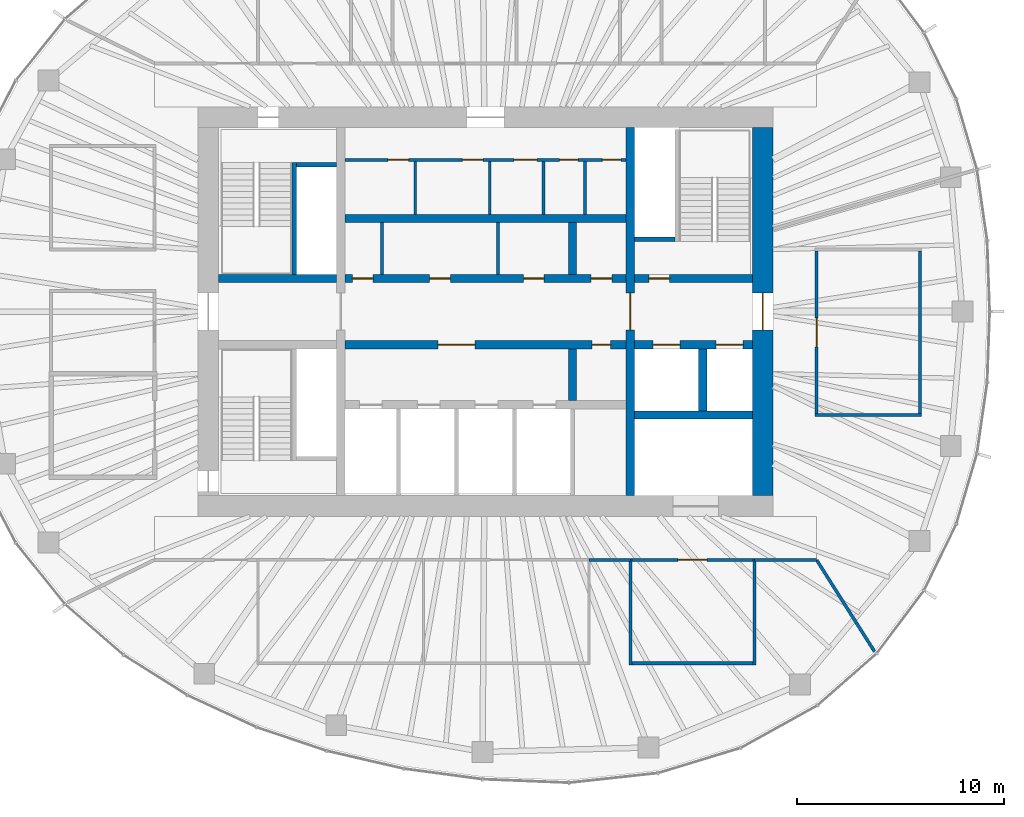
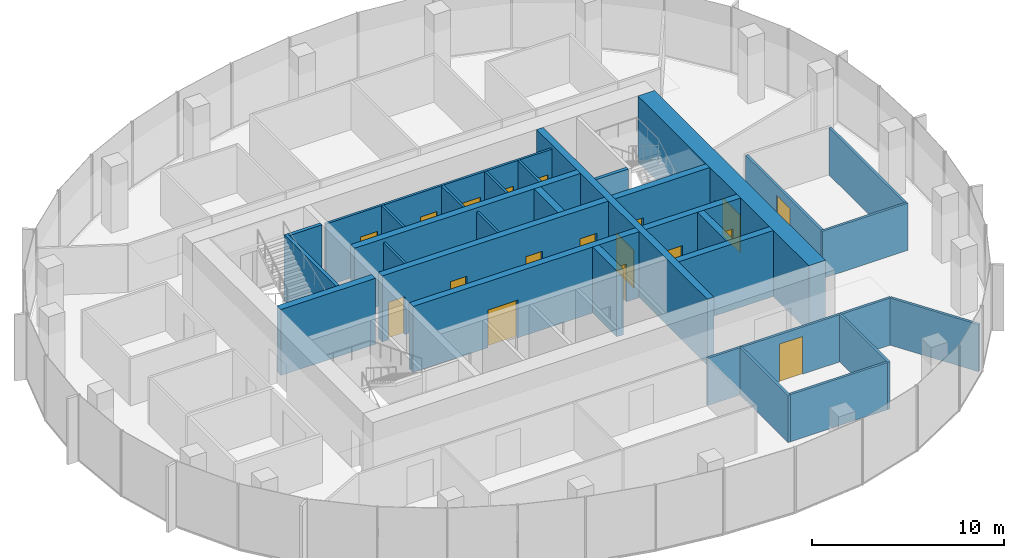
# One storey, part 9 of 11: 32 walls, 18 doors, 18 openings.
"""IFC4 building model written with IfcOpenShell, lengths in metres."""

from ifc_helpers import new_model, si_unit, direction, frame, frame_2d, origin, place, context, subcontext, project, spatial, rectangle, extrude, material, layer, layer_set, type_object, element, fill, save


model = new_model("IFC4")

# Units and contexts
model_context = context("Model", 3, precision=1e-05, world=origin(), true_north=direction((0.0, 1.0)))
body_context = subcontext(model_context, "Body", "Model", "MODEL_VIEW")
ifc_project = project(units=[si_unit("LENGTHUNIT", "METRE"), si_unit("AREAUNIT", "SQUARE_METRE"), si_unit("VOLUMEUNIT", "CUBIC_METRE"), si_unit("PLANEANGLEUNIT", "RADIAN"), si_unit("MASSUNIT", "GRAM", prefix="KILO")], contexts=[model_context])

# Site, building, storey
site_placement = place(None, origin())
site = spatial("IfcSite", under=ifc_project, at=site_placement, CompositionType="ELEMENT")
building_placement = place(site_placement, origin())
building = spatial("IfcBuilding", under=site, at=building_placement, Name="Ghaith Harvest Tower", CompositionType="ELEMENT")
storey_placement = place(building_placement, frame((0.0, 0.0, 309.0)))
storey = spatial("IfcBuildingStorey", under=building, at=storey_placement, Name="L69", CompositionType="ELEMENT", Elevation=309.0)

# Wall, openings, doors
ifc_material_1 = material(Name="Concrete blockwork, fair-faced", Category="masonry")
ifc_layer_1 = layer(ifc_material_1, 0.139892578125)
ifc_layer_set_1 = layer_set([ifc_layer_1], Name="CORE PARTITION 140")
wall_type_1 = type_object("IfcWallType", Name="CORE PARTITION 140", PredefinedType="PARTITIONING", material=ifc_layer_set_1)
wall_1_placement = place(storey_placement, frame((-6.800048828125, 7.330078125, 0.0), z_axis=(0.0, 0.0, 1.0), x_axis=(1.0, 0.0, 0.0)))
wall_1 = element("IfcWall", 1, at=wall_1_placement, inside=storey, type_object=wall_type_1, Name="Core partition L69", PredefinedType="PARTITIONING", context=body_context, shape_type="SweptSolid", body=[
    extrude(rectangle(XDim=13.60009765625, YDim=0.139892578125, at=frame_2d((6.800048828125, 0.0))), origin(), (0.0, 0.0, 1.0), 3.949951171875),
])
opening_1_placement = place(wall_1_placement, frame((2.080078125, 0.0, 0.0)))
opening_1 = element("IfcOpeningElement", 2, at=opening_1_placement, cuts=wall_1, Name="Opening 69-008", PredefinedType="OPENING", context=body_context, shape_type="SweptSolid", body=[
    extrude(rectangle(XDim=1.0, YDim=2.39990234375, at=frame_2d((0.5, 1.199951171875))), frame((0.0, 0.080078125, 0.0), z_axis=(0.0, -1.0, 0.0), x_axis=(1.0, 0.0, 0.0)), (0.0, 0.0, 1.0), 0.159912109375),
])
opening_2_placement = place(wall_1_placement, frame((5.679931640625, 0.0, 0.0)))
opening_2 = element("IfcOpeningElement", 3, at=opening_2_placement, cuts=wall_1, Name="Opening 69-009", PredefinedType="OPENING", context=body_context, shape_type="SweptSolid", body=[
    extrude(rectangle(XDim=1.0, YDim=2.39990234375, at=frame_2d((0.5, 1.199951171875))), frame((0.0, 0.080078125, 0.0), z_axis=(0.0, -1.0, 0.0), x_axis=(1.0, 0.0, 0.0)), (0.0, 0.0, 1.0), 0.159912109375),
])
opening_3_placement = place(wall_1_placement, frame((8.179931640625, 0.0, 0.0)))
opening_3 = element("IfcOpeningElement", 4, at=opening_3_placement, cuts=wall_1, Name="Opening 69-010", PredefinedType="OPENING", context=body_context, shape_type="SweptSolid", body=[
    extrude(rectangle(XDim=1.10009765625, YDim=2.39990234375, at=frame_2d((0.550048828125, 1.199951171875))), frame((0.0, 0.080078125, 0.0), z_axis=(0.0, -1.0, 0.0), x_axis=(1.0, 0.0, 0.0)), (0.0, 0.0, 1.0), 0.159912109375),
])
opening_4_placement = place(wall_1_placement, frame((10.3798828125, 0.0, 0.0)))
opening_4 = element("IfcOpeningElement", 5, at=opening_4_placement, cuts=wall_1, Name="Opening 69-011", PredefinedType="OPENING", context=body_context, shape_type="SweptSolid", body=[
    extrude(rectangle(XDim=0.89990234375, YDim=2.39990234375, at=frame_2d((0.449951171875, 1.199951171875))), frame((0.0, 0.080078125, 0.0), z_axis=(0.0, -1.0, 0.0), x_axis=(1.0, 0.0, 0.0)), (0.0, 0.0, 1.0), 0.159912109375),
])
opening_5_placement = place(wall_1_placement, frame((12.449951171875, 0.0, 0.0)))
opening_5 = element("IfcOpeningElement", 6, at=opening_5_placement, cuts=wall_1, Name="Opening 69-012", PredefinedType="OPENING", context=body_context, shape_type="SweptSolid", body=[
    extrude(rectangle(XDim=0.89990234375, YDim=2.39990234375, at=frame_2d((0.449951171875, 1.199951171875))), frame((0.0, 0.080078125, 0.0), z_axis=(0.0, -1.0, 0.0), x_axis=(1.0, 0.0, 0.0)), (0.0, 0.0, 1.0), 0.159912109375),
])
ifc_material_2 = material(Name="Steel fire door", Category="steel")
door_type_1 = type_object("IfcDoorType", Name="D3 FD90 1000x2400", OperationType="SINGLE_SWING_LEFT", PredefinedType="DOOR", material=ifc_material_2)
door_1_placement = place(opening_1_placement, origin())
door_1 = element("IfcDoor", 7, at=door_1_placement, inside=storey, type_object=door_type_1, Name="Male WC door", OperationType="SINGLE_SWING_LEFT", OverallHeight=2.39990234375, OverallWidth=1.0, PredefinedType="DOOR", context=body_context, shape_type="SweptSolid", body=[
    extrude(rectangle(XDim=1.0, YDim=2.39990234375, at=frame_2d((0.5, 1.199951171875))), frame((0.0, 0.02490234375, 0.0), z_axis=(0.0, -1.0, 0.0), x_axis=(1.0, 0.0, 0.0)), (0.0, 0.0, 1.0), 0.050048828125),
])
fill(opening_1, door_1)
door_2_placement = place(opening_2_placement, origin())
door_2 = element("IfcDoor", 8, at=door_2_placement, inside=storey, type_object=door_type_1, Name="Female WC door", OperationType="SINGLE_SWING_LEFT", OverallHeight=2.39990234375, OverallWidth=1.0, PredefinedType="DOOR", context=body_context, shape_type="SweptSolid", body=[
    extrude(rectangle(XDim=1.0, YDim=2.39990234375, at=frame_2d((0.5, 1.199951171875))), frame((0.0, 0.02490234375, 0.0), z_axis=(0.0, -1.0, 0.0), x_axis=(1.0, 0.0, 0.0)), (0.0, 0.0, 1.0), 0.050048828125),
])
fill(opening_2, door_2)
ifc_material_3 = material(Name="Steel fire door", Category="steel")
door_type_2 = type_object("IfcDoorType", Name="D5 FD90 900x2400", OperationType="SINGLE_SWING_LEFT", PredefinedType="DOOR", material=ifc_material_3)
door_3_placement = place(opening_4_placement, origin())
door_3 = element("IfcDoor", 9, at=door_3_placement, inside=storey, type_object=door_type_2, Name="Store door", OperationType="SINGLE_SWING_RIGHT", OverallHeight=2.39990234375, OverallWidth=0.89990234375, PredefinedType="DOOR", context=body_context, shape_type="SweptSolid", body=[
    extrude(rectangle(XDim=0.89990234375, YDim=2.39990234375, at=frame_2d((0.449951171875, 1.199951171875))), frame((0.0, 0.02490234375, 0.0), z_axis=(0.0, -1.0, 0.0), x_axis=(1.0, 0.0, 0.0)), (0.0, 0.0, 1.0), 0.050048828125),
])
fill(opening_4, door_3)
door_4_placement = place(opening_5_placement, origin())
door_4 = element("IfcDoor", 10, at=door_4_placement, inside=storey, type_object=door_type_2, Name="Cleaner's store door", OperationType="SINGLE_SWING_RIGHT", OverallHeight=2.39990234375, OverallWidth=0.89990234375, PredefinedType="DOOR", context=body_context, shape_type="SweptSolid", body=[
    extrude(rectangle(XDim=0.89990234375, YDim=2.39990234375, at=frame_2d((0.449951171875, 1.199951171875))), frame((0.0, 0.02490234375, 0.0), z_axis=(0.0, -1.0, 0.0), x_axis=(1.0, 0.0, 0.0)), (0.0, 0.0, 1.0), 0.050048828125),
])
fill(opening_5, door_4)
ifc_material_4 = material(Name="Steel fire door", Category="steel")
door_type_3 = type_object("IfcDoorType", Name="D9 FD90 1100x2400", OperationType="SINGLE_SWING_LEFT", PredefinedType="DOOR", material=ifc_material_4)
door_5_placement = place(opening_3_placement, origin())
door_5 = element("IfcDoor", 11, at=door_5_placement, inside=storey, type_object=door_type_3, Name="Accessible WC door", OperationType="SINGLE_SWING_RIGHT", OverallHeight=2.39990234375, OverallWidth=1.10009765625, PredefinedType="DOOR", context=body_context, shape_type="SweptSolid", body=[
    extrude(rectangle(XDim=1.10009765625, YDim=2.39990234375, at=frame_2d((0.550048828125, 1.199951171875))), frame((0.0, 0.02490234375, 0.0), z_axis=(0.0, -1.0, 0.0), x_axis=(1.0, 0.0, 0.0)), (0.0, 0.0, 1.0), 0.050048828125),
])
fill(opening_3, door_5)

# Walls
for number, where, z_axis, x_axis, name in (
    (12, (-3.39990234375, 4.699951171875, 0.0), (0.0, 0.0, 1.0), (0.0, 1.0, 0.0), "Core partition L69"),
    (13, (0.199951171875, 4.699951171875, 0.0), (0.0, 0.0, 1.0), (0.0, 1.0, 0.0), "Core partition L69"),
    (14, (2.800048828125, 4.699951171875, 0.0), (0.0, 0.0, 1.0), (0.0, 1.0, 0.0), "Core partition L69"),
    (15, (4.800048828125, 4.699951171875, 0.0), (0.0, 0.0, 1.0), (0.0, 1.0, 0.0), "Core partition L69"),
):
    element("IfcWall", number, at=place(storey_placement, frame(where, z_axis=z_axis, x_axis=x_axis)), inside=storey, type_object=wall_type_1, Name=name, PredefinedType="PARTITIONING", context=body_context, shape_type="SweptSolid", body=[
        extrude(rectangle(XDim=2.56005859375, YDim=0.139892578125, at=frame_2d((1.280029296875, 0.0))), origin(), (0.0, 0.0, 1.0), 3.949951171875),
    ])
for number, where, z_axis, x_axis, name in (
    (16, (-5.0, 1.800048828125, 0.0), (0.0, 0.0, 1.0), (0.0, 1.0, 0.0), "Core partition L69"),
    (17, (0.60009765625, 1.800048828125, 0.0), (0.0, 0.0, 1.0), (0.0, 1.0, 0.0), "Core partition L69"),
):
    element("IfcWall", number, at=place(storey_placement, frame(where, z_axis=z_axis, x_axis=x_axis)), inside=storey, type_object=wall_type_1, Name=name, PredefinedType="PARTITIONING", context=body_context, shape_type="SweptSolid", body=[
        extrude(rectangle(XDim=2.5, YDim=0.139892578125, at=frame_2d((1.25, 0.0))), origin(), (0.0, 0.0, 1.0), 3.949951171875),
    ])

# Wall, opening, door
ifc_material_5 = material(Name="Concrete C50/60", Category="concrete")
ifc_layer_2 = layer(ifc_material_5, 1.0)
ifc_layer_set_2 = layer_set([ifc_layer_2], Name="CORE WALL CW1000")
wall_type_2 = type_object("IfcWallType", Name="CORE WALL CW1000", PredefinedType="SHEAR", material=ifc_layer_set_2)
wall_2_placement = place(storey_placement, frame((13.39990234375, -8.89990234375, 0.0), z_axis=(0.0, 0.0, 1.0), x_axis=(0.0, 1.0, 0.0)))
wall_2 = element("IfcWall", 18, at=wall_2_placement, inside=storey, type_object=wall_type_2, Name="Core wall E L69", PredefinedType="SHEAR", context=body_context, shape_type="SweptSolid", body=[
    extrude(rectangle(XDim=17.7998046875, YDim=1.0, at=frame_2d((8.89990234375, 0.0))), origin(), (0.0, 0.0, 1.0), 4.199951171875),
])
opening_6_placement = place(wall_2_placement, frame((8.0, 0.0, 0.0)))
opening_6 = element("IfcOpeningElement", 19, at=opening_6_placement, cuts=wall_2, Name="Opening 69-002", PredefinedType="OPENING", context=body_context, shape_type="SweptSolid", body=[
    extrude(rectangle(XDim=1.800048828125, YDim=2.39990234375, at=frame_2d((0.89990234375, 1.199951171875))), frame((0.0, 0.510009765625, 0.0), z_axis=(0.0, -1.0, 0.0), x_axis=(1.0, 0.0, 0.0)), (0.0, 0.0, 1.0), 1.02001953125),
])
ifc_material_6 = material(Name="Steel fire door", Category="steel")
door_type_4 = type_object("IfcDoorType", Name="D4 FD90 PAIR 1800x2400", OperationType="DOUBLE_DOOR_SINGLE_SWING", PredefinedType="DOOR", material=ifc_material_6)
door_6_placement = place(opening_6_placement, origin())
door_6 = element("IfcDoor", 20, at=door_6_placement, inside=storey, type_object=door_type_4, Name="Fire-fighting lobby doors", OperationType="DOUBLE_DOOR_SINGLE_SWING", OverallHeight=2.39990234375, OverallWidth=1.800048828125, PredefinedType="DOOR", context=body_context, shape_type="SweptSolid", body=[
    extrude(rectangle(XDim=1.800048828125, YDim=2.39990234375, at=frame_2d((0.89990234375, 1.199951171875))), frame((0.0, 0.02490234375, 0.0), z_axis=(0.0, -1.0, 0.0), x_axis=(1.0, 0.0, 0.0)), (0.0, 0.0, 1.0), 0.050048828125),
])
fill(opening_6, door_6)

# Walls
ifc_material_7 = material(Name="Gypsum board on steel studs", Category="steel")
ifc_layer_3 = layer(ifc_material_7, 0.14990234375)
ifc_layer_set_3 = layer_set([ifc_layer_3], Name="PARTITION 150")
wall_type_3 = type_object("IfcWallType", Name="PARTITION 150", PredefinedType="PARTITIONING", material=ifc_layer_set_3)
for number, where, z_axis, x_axis, name in (
    (21, (7.0, -11.925048828125, 0.0), (0.0, 0.0, 1.0), (0.0, -1.0, 0.0), "Partition L69 row S3 cross wall 1"),
    (22, (13.0, -11.925048828125, 0.0), (0.0, 0.0, 1.0), (0.0, -1.0, 0.0), "Partition L69 row S3 cross wall 2"),
):
    element("IfcWall", number, at=place(storey_placement, frame(where, z_axis=z_axis, x_axis=x_axis)), inside=storey, type_object=wall_type_3, Name=name, PredefinedType="PARTITIONING", context=body_context, shape_type="SweptSolid", body=[
        extrude(rectangle(XDim=5.14990234375, YDim=0.14990234375, at=frame_2d((2.574951171875, 0.0))), origin(), (0.0, 0.0, 1.0), 3.0),
    ])

# Wall, opening, door
wall_3_placement = place(storey_placement, frame((7.074951171875, -12.0, 0.0), z_axis=(0.0, 0.0, 1.0), x_axis=(1.0, 0.0, 0.0)))
wall_3 = element("IfcWall", 23, at=wall_3_placement, inside=storey, type_object=wall_type_3, Name="Partition L69-05", PredefinedType="PARTITIONING", context=body_context, shape_type="SweptSolid", body=[
    extrude(rectangle(XDim=5.85009765625, YDim=0.14990234375, at=frame_2d((2.925048828125, 0.0))), origin(), (0.0, 0.0, 1.0), 3.0),
])
opening_7_placement = place(wall_3_placement, frame((2.22509765625, 0.0, 0.0)))
opening_7 = element("IfcOpeningElement", 24, at=opening_7_placement, cuts=wall_3, Name="Opening 69-031", PredefinedType="OPENING", context=body_context, shape_type="SweptSolid", body=[
    extrude(rectangle(XDim=1.39990234375, YDim=2.39990234375, at=frame_2d((0.699951171875, 1.199951171875))), frame((0.0, 0.0849609375, 0.0), z_axis=(0.0, -1.0, 0.0), x_axis=(1.0, 0.0, 0.0)), (0.0, 0.0, 1.0), 0.169921875),
])
ifc_material_8 = material(Name="Stainless steel faced door pair", Category="steel")
door_type_5 = type_object("IfcDoorType", Name="D14 HYGIENE PAIR 1400x2400", OperationType="DOUBLE_DOOR_DOUBLE_SWING", PredefinedType="DOOR", material=ifc_material_8)
door_7_placement = place(opening_7_placement, origin())
door_7 = element("IfcDoor", 25, at=door_7_placement, inside=storey, type_object=door_type_5, Name="Grading room door", OperationType="DOUBLE_DOOR_DOUBLE_SWING", OverallHeight=2.39990234375, OverallWidth=1.39990234375, PredefinedType="DOOR", context=body_context, shape_type="SweptSolid", body=[
    extrude(rectangle(XDim=1.39990234375, YDim=2.39990234375, at=frame_2d((0.699951171875, 1.199951171875))), frame((0.0, 0.02490234375, 0.0), z_axis=(0.0, -1.0, 0.0), x_axis=(1.0, 0.0, 0.0)), (0.0, 0.0, 1.0), 0.050048828125),
])
fill(opening_7, door_7)

# Walls
wall_4_placement = place(storey_placement, frame((7.074951171875, -17.0, 0.0), z_axis=(0.0, 0.0, 1.0), x_axis=(1.0, 0.0, 0.0)))
element("IfcWall", 26, at=wall_4_placement, inside=storey, type_object=wall_type_3, Name="Partition L69-05", PredefinedType="PARTITIONING", context=body_context, shape_type="SweptSolid", body=[
    extrude(rectangle(XDim=5.85009765625, YDim=0.14990234375, at=frame_2d((2.925048828125, 0.0))), origin(), (0.0, 0.0, 1.0), 3.0),
])
wall_5_placement = place(storey_placement, frame((15.925048828125, -5.0, 0.0), z_axis=(0.0, 0.0, 1.0), x_axis=(1.0, 0.0, 0.0)))
element("IfcWall", 27, at=wall_5_placement, inside=storey, type_object=wall_type_3, Name="Partition L69 row E5 cross wall 1", PredefinedType="PARTITIONING", context=body_context, shape_type="SweptSolid", body=[
    extrude(rectangle(XDim=5.14990234375, YDim=0.14990234375, at=frame_2d((2.574951171875, 0.0))), origin(), (0.0, 0.0, 1.0), 3.0),
])

# Wall, opening, door
wall_6_placement = place(storey_placement, frame((16.0, -4.925048828125, 0.0), z_axis=(0.0, 0.0, 1.0), x_axis=(0.0, 1.0, 0.0)))
wall_6 = element("IfcWall", 28, at=wall_6_placement, inside=storey, type_object=wall_type_3, Name="Partition L69-08", PredefinedType="PARTITIONING", context=body_context, shape_type="SweptSolid", body=[
    extrude(rectangle(XDim=7.85009765625, YDim=0.14990234375, at=frame_2d((3.925048828125, 0.0))), origin(), (0.0, 0.0, 1.0), 3.0),
])
opening_8_placement = place(wall_6_placement, frame((3.22509765625, 0.0, 0.0)))
opening_8 = element("IfcOpeningElement", 29, at=opening_8_placement, cuts=wall_6, Name="Opening 69-034", PredefinedType="OPENING", context=body_context, shape_type="SweptSolid", body=[
    extrude(rectangle(XDim=1.39990234375, YDim=2.39990234375, at=frame_2d((0.699951171875, 1.199951171875))), frame((0.0, 0.0849609375, 0.0), z_axis=(0.0, -1.0, 0.0), x_axis=(1.0, 0.0, 0.0)), (0.0, 0.0, 1.0), 0.169921875),
])
door_8_placement = place(opening_8_placement, origin())
door_8 = element("IfcDoor", 30, at=door_8_placement, inside=storey, type_object=door_type_5, Name="Packing room door", OperationType="DOUBLE_DOOR_DOUBLE_SWING", OverallHeight=2.39990234375, OverallWidth=1.39990234375, PredefinedType="DOOR", context=body_context, shape_type="SweptSolid", body=[
    extrude(rectangle(XDim=1.39990234375, YDim=2.39990234375, at=frame_2d((0.699951171875, 1.199951171875))), frame((0.0, 0.02490234375, 0.0), z_axis=(0.0, -1.0, 0.0), x_axis=(1.0, 0.0, 0.0)), (0.0, 0.0, 1.0), 0.050048828125),
])
fill(opening_8, door_8)

# Walls
wall_7_placement = place(storey_placement, frame((21.0, -4.925048828125, 0.0), z_axis=(0.0, 0.0, 1.0), x_axis=(0.0, 1.0, 0.0)))
element("IfcWall", 31, at=wall_7_placement, inside=storey, type_object=wall_type_3, Name="Partition L69-08", PredefinedType="PARTITIONING", context=body_context, shape_type="SweptSolid", body=[
    extrude(rectangle(XDim=7.85009765625, YDim=0.14990234375, at=frame_2d((3.925048828125, 0.0))), origin(), (0.0, 0.0, 1.0), 3.0),
])
wall_8_placement = place(storey_placement, frame((16.0107421875, -12.016845703125, 0.0), z_axis=(0.0, 0.0, 1.0), x_axis=(0.53415837449, -0.845384427916, 0.0)))
element("IfcWall", 32, at=wall_8_placement, inside=storey, type_object=wall_type_3, Name="Partition L69 zone division", PredefinedType="PARTITIONING", context=body_context, shape_type="SweptSolid", body=[
    extrude(rectangle(XDim=5.220458984375, YDim=0.14990234375, at=frame_2d((2.6103515625, 0.0))), origin(), (0.0, 0.0, 1.0), 3.0),
])
wall_9_placement = place(storey_placement, frame((5.0, -12.0, 0.0), z_axis=(0.0, 0.0, 1.0), x_axis=(1.0, 0.0, 0.0)))
element("IfcWall", 33, at=wall_9_placement, inside=storey, type_object=wall_type_3, Name="Partition L69 zone enclosure", PredefinedType="PARTITIONING", context=body_context, shape_type="SweptSolid", body=[
    extrude(rectangle(XDim=2.0, YDim=0.14990234375, at=frame_2d((1.0, 0.0))), origin(), (0.0, 0.0, 1.0), 3.0),
])
wall_10_placement = place(storey_placement, frame((13.0, -12.0, 0.0), z_axis=(0.0, 0.0, 1.0), x_axis=(1.0, 0.0, 0.0)))
element("IfcWall", 34, at=wall_10_placement, inside=storey, type_object=wall_type_3, Name="Partition L69 zone enclosure", PredefinedType="PARTITIONING", context=body_context, shape_type="SweptSolid", body=[
    extrude(rectangle(XDim=3.0, YDim=0.14990234375, at=frame_2d((1.5, 0.0))), origin(), (0.0, 0.0, 1.0), 3.0),
])

# Wall, opening, door
ifc_material_9 = material(Name="Concrete C70/85", Category="concrete")
ifc_layer_4 = layer(ifc_material_9, 0.39990234375)
ifc_layer_set_4 = layer_set([ifc_layer_4], Name="SHAFT WALL 400")
wall_type_4 = type_object("IfcWallType", Name="SHAFT WALL 400", PredefinedType="SHEAR", material=ifc_layer_set_4)
wall_11_placement = place(storey_placement, frame((7.0, -8.89990234375, 0.0), z_axis=(0.0, 0.0, 1.0), x_axis=(0.0, 1.0, 0.0)))
wall_11 = element("IfcWall", 35, at=wall_11_placement, inside=storey, type_object=wall_type_4, Name="Shaft wall W7E L69", PredefinedType="SHEAR", context=body_context, shape_type="SweptSolid", body=[
    extrude(rectangle(XDim=17.7998046875, YDim=0.39990234375, at=frame_2d((8.89990234375, 0.0))), origin(), (0.0, 0.0, 1.0), 4.199951171875),
])
opening_9_placement = place(wall_11_placement, frame((8.0, 0.0, 0.0)))
opening_9 = element("IfcOpeningElement", 36, at=opening_9_placement, cuts=wall_11, Name="Opening 69-004", PredefinedType="OPENING", context=body_context, shape_type="SweptSolid", body=[
    extrude(rectangle(XDim=1.800048828125, YDim=2.39990234375, at=frame_2d((0.89990234375, 1.199951171875))), frame((0.0, 0.2099609375, 0.0), z_axis=(0.0, -1.0, 0.0), x_axis=(1.0, 0.0, 0.0)), (0.0, 0.0, 1.0), 0.419921875),
])
door_9_placement = place(opening_9_placement, origin())
door_9 = element("IfcDoor", 37, at=door_9_placement, inside=storey, type_object=door_type_4, Name="Lift lobby doors, east", OperationType="DOUBLE_DOOR_SINGLE_SWING", OverallHeight=2.39990234375, OverallWidth=1.800048828125, PredefinedType="DOOR", context=body_context, shape_type="SweptSolid", body=[
    extrude(rectangle(XDim=1.800048828125, YDim=2.39990234375, at=frame_2d((0.89990234375, 1.199951171875))), frame((0.0, 0.02490234375, 0.0), z_axis=(0.0, -1.0, 0.0), x_axis=(1.0, 0.0, 0.0)), (0.0, 0.0, 1.0), 0.050048828125),
])
fill(opening_9, door_9)

# Wall, openings, doors
wall_12_placement = place(storey_placement, frame((-6.800048828125, 1.60009765625, 0.0), z_axis=(0.0, 0.0, 1.0), x_axis=(1.0, 0.0, 0.0)))
wall_12 = element("IfcWall", 38, at=wall_12_placement, inside=storey, type_object=wall_type_4, Name="Shaft wall LN L69", PredefinedType="SHEAR", context=body_context, shape_type="SweptSolid", body=[
    extrude(rectangle(XDim=13.60009765625, YDim=0.39990234375, at=frame_2d((6.800048828125, 0.0))), origin(), (0.0, 0.0, 1.0), 4.199951171875),
])
opening_10_placement = place(wall_12_placement, frame((0.364990234375, 0.0, 0.0)))
opening_10 = element("IfcOpeningElement", 39, at=opening_10_placement, cuts=wall_12, Name="Opening 69-013", PredefinedType="OPENING", context=body_context, shape_type="SweptSolid", body=[
    extrude(rectangle(XDim=1.0, YDim=2.39990234375, at=frame_2d((0.5, 1.199951171875))), frame((0.0, 0.2099609375, 0.0), z_axis=(0.0, -1.0, 0.0), x_axis=(1.0, 0.0, 0.0)), (0.0, 0.0, 1.0), 0.419921875),
])
opening_11_placement = place(wall_12_placement, frame((4.10009765625, 0.0, 0.0)))
opening_11 = element("IfcOpeningElement", 40, at=opening_11_placement, cuts=wall_12, Name="Opening 69-014", PredefinedType="OPENING", context=body_context, shape_type="SweptSolid", body=[
    extrude(rectangle(XDim=1.0, YDim=2.39990234375, at=frame_2d((0.5, 1.199951171875))), frame((0.0, 0.2099609375, 0.0), z_axis=(0.0, -1.0, 0.0), x_axis=(1.0, 0.0, 0.0)), (0.0, 0.0, 1.0), 0.419921875),
])
opening_12_placement = place(wall_12_placement, frame((8.635009765625, 0.0, 0.0)))
opening_12 = element("IfcOpeningElement", 41, at=opening_12_placement, cuts=wall_12, Name="Opening 69-015", PredefinedType="OPENING", context=body_context, shape_type="SweptSolid", body=[
    extrude(rectangle(XDim=1.0, YDim=2.39990234375, at=frame_2d((0.5, 1.199951171875))), frame((0.0, 0.2099609375, 0.0), z_axis=(0.0, -1.0, 0.0), x_axis=(1.0, 0.0, 0.0)), (0.0, 0.0, 1.0), 0.419921875),
])
opening_13_placement = place(wall_12_placement, frame((11.89990234375, 0.0, 0.0)))
opening_13 = element("IfcOpeningElement", 42, at=opening_13_placement, cuts=wall_12, Name="Opening 69-016", PredefinedType="OPENING", context=body_context, shape_type="SweptSolid", body=[
    extrude(rectangle(XDim=1.0, YDim=2.39990234375, at=frame_2d((0.5, 1.199951171875))), frame((0.0, 0.2099609375, 0.0), z_axis=(0.0, -1.0, 0.0), x_axis=(1.0, 0.0, 0.0)), (0.0, 0.0, 1.0), 0.419921875),
])
door_10_placement = place(opening_10_placement, origin())
door_10 = element("IfcDoor", 43, at=door_10_placement, inside=storey, type_object=door_type_1, Name="Electrical room door", OperationType="SINGLE_SWING_LEFT", OverallHeight=2.39990234375, OverallWidth=1.0, PredefinedType="DOOR", context=body_context, shape_type="SweptSolid", body=[
    extrude(rectangle(XDim=1.0, YDim=2.39990234375, at=frame_2d((0.5, 1.199951171875))), frame((0.0, 0.02490234375, 0.0), z_axis=(0.0, -1.0, 0.0), x_axis=(1.0, 0.0, 0.0)), (0.0, 0.0, 1.0), 0.050048828125),
])
fill(opening_10, door_10)
door_11_placement = place(opening_11_placement, origin())
door_11 = element("IfcDoor", 44, at=door_11_placement, inside=storey, type_object=door_type_1, Name="Security room door", OperationType="SINGLE_SWING_LEFT", OverallHeight=2.39990234375, OverallWidth=1.0, PredefinedType="DOOR", context=body_context, shape_type="SweptSolid", body=[
    extrude(rectangle(XDim=1.0, YDim=2.39990234375, at=frame_2d((0.5, 1.199951171875))), frame((0.0, 0.02490234375, 0.0), z_axis=(0.0, -1.0, 0.0), x_axis=(1.0, 0.0, 0.0)), (0.0, 0.0, 1.0), 0.050048828125),
])
fill(opening_11, door_11)
door_12_placement = place(opening_12_placement, origin())
door_12 = element("IfcDoor", 45, at=door_12_placement, inside=storey, type_object=door_type_1, Name="Communications equipment room door", OperationType="SINGLE_SWING_RIGHT", OverallHeight=2.39990234375, OverallWidth=1.0, PredefinedType="DOOR", context=body_context, shape_type="SweptSolid", body=[
    extrude(rectangle(XDim=1.0, YDim=2.39990234375, at=frame_2d((0.5, 1.199951171875))), frame((0.0, 0.02490234375, 0.0), z_axis=(0.0, -1.0, 0.0), x_axis=(1.0, 0.0, 0.0)), (0.0, 0.0, 1.0), 0.050048828125),
])
fill(opening_12, door_12)
door_13_placement = place(opening_13_placement, origin())
door_13 = element("IfcDoor", 46, at=door_13_placement, inside=storey, type_object=door_type_1, Name="Tea point door", OperationType="SINGLE_SWING_RIGHT", OverallHeight=2.39990234375, OverallWidth=1.0, PredefinedType="DOOR", context=body_context, shape_type="SweptSolid", body=[
    extrude(rectangle(XDim=1.0, YDim=2.39990234375, at=frame_2d((0.5, 1.199951171875))), frame((0.0, 0.02490234375, 0.0), z_axis=(0.0, -1.0, 0.0), x_axis=(1.0, 0.0, 0.0)), (0.0, 0.0, 1.0), 0.050048828125),
])
fill(opening_13, door_13)

wall_13_placement = place(storey_placement, frame((-6.800048828125, -1.60009765625, 0.0), z_axis=(0.0, 0.0, 1.0), x_axis=(1.0, 0.0, 0.0)))
wall_13 = element("IfcWall", 47, at=wall_13_placement, inside=storey, type_object=wall_type_4, Name="Shaft wall LS L69", PredefinedType="SHEAR", context=body_context, shape_type="SweptSolid", body=[
    extrude(rectangle(XDim=13.60009765625, YDim=0.39990234375, at=frame_2d((6.800048828125, 0.0))), origin(), (0.0, 0.0, 1.0), 4.199951171875),
])
opening_14_placement = place(wall_13_placement, frame((11.949951171875, 0.0, 0.0)))
opening_14 = element("IfcOpeningElement", 48, at=opening_14_placement, cuts=wall_13, Name="Opening 69-017", PredefinedType="OPENING", context=body_context, shape_type="SweptSolid", body=[
    extrude(rectangle(XDim=0.89990234375, YDim=2.39990234375, at=frame_2d((0.449951171875, 1.199951171875))), frame((0.0, 0.2099609375, 0.0), z_axis=(0.0, -1.0, 0.0), x_axis=(1.0, 0.0, 0.0)), (0.0, 0.0, 1.0), 0.419921875),
])
opening_15_placement = place(wall_13_placement, frame((4.5, 0.0, 0.0)))
opening_15 = element("IfcOpeningElement", 49, at=opening_15_placement, cuts=wall_13, Name="Opening 69-018", PredefinedType="OPENING", context=body_context, shape_type="SweptSolid", body=[
    extrude(rectangle(XDim=1.800048828125, YDim=2.39990234375, at=frame_2d((0.89990234375, 1.199951171875))), frame((0.0, 0.2099609375, 0.0), z_axis=(0.0, -1.0, 0.0), x_axis=(1.0, 0.0, 0.0)), (0.0, 0.0, 1.0), 0.419921875),
])
door_14_placement = place(opening_15_placement, origin())
door_14 = element("IfcDoor", 50, at=door_14_placement, inside=storey, type_object=door_type_4, Name="Lift lobby doors, upper-zone bank", OperationType="DOUBLE_DOOR_SINGLE_SWING", OverallHeight=2.39990234375, OverallWidth=1.800048828125, PredefinedType="DOOR", context=body_context, shape_type="SweptSolid", body=[
    extrude(rectangle(XDim=1.800048828125, YDim=2.39990234375, at=frame_2d((0.89990234375, 1.199951171875))), frame((0.0, 0.02490234375, 0.0), z_axis=(0.0, -1.0, 0.0), x_axis=(1.0, 0.0, 0.0)), (0.0, 0.0, 1.0), 0.050048828125),
])
fill(opening_15, door_14)
door_15_placement = place(opening_14_placement, origin())
door_15 = element("IfcDoor", 51, at=door_15_placement, inside=storey, type_object=door_type_2, Name="Lobby store door", OperationType="SINGLE_SWING_RIGHT", OverallHeight=2.39990234375, OverallWidth=0.89990234375, PredefinedType="DOOR", context=body_context, shape_type="SweptSolid", body=[
    extrude(rectangle(XDim=0.89990234375, YDim=2.39990234375, at=frame_2d((0.449951171875, 1.199951171875))), frame((0.0, 0.02490234375, 0.0), z_axis=(0.0, -1.0, 0.0), x_axis=(1.0, 0.0, 0.0)), (0.0, 0.0, 1.0), 0.050048828125),
])
fill(opening_14, door_15)

# Walls
wall_14_placement = place(storey_placement, frame((-6.800048828125, 4.5, 0.0), z_axis=(0.0, 0.0, 1.0), x_axis=(1.0, 0.0, 0.0)))
element("IfcWall", 52, at=wall_14_placement, inside=storey, type_object=wall_type_4, Name="Shaft wall BN L69", PredefinedType="SHEAR", context=body_context, shape_type="SweptSolid", body=[
    extrude(rectangle(XDim=13.60009765625, YDim=0.39990234375, at=frame_2d((6.800048828125, 0.0))), origin(), (0.0, 0.0, 1.0), 4.199951171875),
])
wall_15_placement = place(storey_placement, frame((-12.89990234375, 1.60009765625, 0.0), z_axis=(0.0, 0.0, 1.0), x_axis=(1.0, 0.0, 0.0)))
element("IfcWall", 53, at=wall_15_placement, inside=storey, type_object=wall_type_4, Name="Shaft wall WN L69", PredefinedType="SHEAR", context=body_context, shape_type="SweptSolid", body=[
    extrude(rectangle(XDim=5.699951171875, YDim=0.39990234375, at=frame_2d((2.85009765625, 0.0))), origin(), (0.0, 0.0, 1.0), 4.199951171875),
])

# Wall, opening, door
wall_16_placement = place(storey_placement, frame((7.199951171875, 1.60009765625, 0.0), z_axis=(0.0, 0.0, 1.0), x_axis=(1.0, 0.0, 0.0)))
wall_16 = element("IfcWall", 54, at=wall_16_placement, inside=storey, type_object=wall_type_4, Name="Shaft wall EN L69", PredefinedType="SHEAR", context=body_context, shape_type="SweptSolid", body=[
    extrude(rectangle(XDim=5.699951171875, YDim=0.39990234375, at=frame_2d((2.85009765625, 0.0))), origin(), (0.0, 0.0, 1.0), 4.199951171875),
])
opening_16_placement = place(wall_16_placement, frame((0.699951171875, 0.0, 0.0)))
opening_16 = element("IfcOpeningElement", 55, at=opening_16_placement, cuts=wall_16, Name="Opening 69-007", PredefinedType="OPENING", context=body_context, shape_type="SweptSolid", body=[
    extrude(rectangle(XDim=1.0, YDim=2.39990234375, at=frame_2d((0.5, 1.199951171875))), frame((0.0, 0.2099609375, 0.0), z_axis=(0.0, -1.0, 0.0), x_axis=(1.0, 0.0, 0.0)), (0.0, 0.0, 1.0), 0.419921875),
])
door_16_placement = place(opening_16_placement, origin())
door_16 = element("IfcDoor", 56, at=door_16_placement, inside=storey, type_object=door_type_1, Name="Stair ST2 door", OperationType="SINGLE_SWING_LEFT", OverallHeight=2.39990234375, OverallWidth=1.0, PredefinedType="DOOR", context=body_context, shape_type="SweptSolid", body=[
    extrude(rectangle(XDim=1.0, YDim=2.39990234375, at=frame_2d((0.5, 1.199951171875))), frame((0.0, 0.02490234375, 0.0), z_axis=(0.0, -1.0, 0.0), x_axis=(1.0, 0.0, 0.0)), (0.0, 0.0, 1.0), 0.050048828125),
])
fill(opening_16, door_16)

# Wall, openings, doors
wall_17_placement = place(storey_placement, frame((7.199951171875, -1.60009765625, 0.0), z_axis=(0.0, 0.0, 1.0), x_axis=(1.0, 0.0, 0.0)))
wall_17 = element("IfcWall", 57, at=wall_17_placement, inside=storey, type_object=wall_type_4, Name="Shaft wall ES L69", PredefinedType="SHEAR", context=body_context, shape_type="SweptSolid", body=[
    extrude(rectangle(XDim=5.699951171875, YDim=0.39990234375, at=frame_2d((2.85009765625, 0.0))), origin(), (0.0, 0.0, 1.0), 4.199951171875),
])
opening_17_placement = place(wall_17_placement, frame((0.89990234375, 0.0, 0.0)))
opening_17 = element("IfcOpeningElement", 58, at=opening_17_placement, cuts=wall_17, Name="Opening 69-024", PredefinedType="OPENING", context=body_context, shape_type="SweptSolid", body=[
    extrude(rectangle(XDim=1.300048828125, YDim=2.39990234375, at=frame_2d((0.64990234375, 1.199951171875))), frame((0.0, 0.2099609375, 0.0), z_axis=(0.0, -1.0, 0.0), x_axis=(1.0, 0.0, 0.0)), (0.0, 0.0, 1.0), 0.419921875),
])
opening_18_placement = place(wall_17_placement, frame((3.949951171875, 0.0, 0.0)))
opening_18 = element("IfcOpeningElement", 59, at=opening_18_placement, cuts=wall_17, Name="Opening 69-025", PredefinedType="OPENING", context=body_context, shape_type="SweptSolid", body=[
    extrude(rectangle(XDim=1.300048828125, YDim=2.39990234375, at=frame_2d((0.64990234375, 1.199951171875))), frame((0.0, 0.2099609375, 0.0), z_axis=(0.0, -1.0, 0.0), x_axis=(1.0, 0.0, 0.0)), (0.0, 0.0, 1.0), 0.419921875),
])
ifc_material_10 = material(Name="Steel fire door", Category="steel")
door_type_6 = type_object("IfcDoorType", Name="LD2 LANDING 1300x2400", OperationType="DOUBLE_DOOR_SLIDING", PredefinedType="DOOR", material=ifc_material_10)
door_17_placement = place(opening_17_placement, origin())
door_17 = element("IfcDoor", 60, at=door_17_placement, inside=storey, type_object=door_type_6, Name="Landing door, fire service lift FL1", OperationType="DOUBLE_DOOR_SLIDING", OverallHeight=2.39990234375, OverallWidth=1.300048828125, PredefinedType="DOOR", context=body_context, shape_type="SweptSolid", body=[
    extrude(rectangle(XDim=1.300048828125, YDim=2.39990234375, at=frame_2d((0.64990234375, 1.199951171875))), frame((0.0, 0.02490234375, 0.0), z_axis=(0.0, -1.0, 0.0), x_axis=(1.0, 0.0, 0.0)), (0.0, 0.0, 1.0), 0.050048828125),
])
fill(opening_17, door_17)
door_18_placement = place(opening_18_placement, origin())
door_18 = element("IfcDoor", 61, at=door_18_placement, inside=storey, type_object=door_type_6, Name="Landing door, fire service lift FL2", OperationType="DOUBLE_DOOR_SLIDING", OverallHeight=2.39990234375, OverallWidth=1.300048828125, PredefinedType="DOOR", context=body_context, shape_type="SweptSolid", body=[
    extrude(rectangle(XDim=1.300048828125, YDim=2.39990234375, at=frame_2d((0.64990234375, 1.199951171875))), frame((0.0, 0.02490234375, 0.0), z_axis=(0.0, -1.0, 0.0), x_axis=(1.0, 0.0, 0.0)), (0.0, 0.0, 1.0), 0.050048828125),
])
fill(opening_18, door_18)

# Walls
wall_18_placement = place(storey_placement, frame((10.5, -4.800048828125, 0.0), z_axis=(0.0, 0.0, 1.0), x_axis=(0.0, 1.0, 0.0)))
element("IfcWall", 62, at=wall_18_placement, inside=storey, type_object=wall_type_4, Name="Shaft wall FLD L69", PredefinedType="SHEAR", context=body_context, shape_type="SweptSolid", body=[
    extrude(rectangle(XDim=3.0, YDim=0.39990234375, at=frame_2d((1.5, 0.0))), origin(), (0.0, 0.0, 1.0), 4.199951171875),
])
wall_19_placement = place(storey_placement, frame((7.199951171875, -5.0, 0.0), z_axis=(0.0, 0.0, 1.0), x_axis=(1.0, 0.0, 0.0)))
element("IfcWall", 63, at=wall_19_placement, inside=storey, type_object=wall_type_4, Name="Shaft wall FLB L69", PredefinedType="SHEAR", context=body_context, shape_type="SweptSolid", body=[
    extrude(rectangle(XDim=5.699951171875, YDim=0.39990234375, at=frame_2d((2.85009765625, 0.0))), origin(), (0.0, 0.0, 1.0), 4.199951171875),
])
for number, where, z_axis, x_axis, name in (
    (64, (4.199951171875, 1.800048828125, 0.0), (0.0, 0.0, 1.0), (0.0, 1.0, 0.0), "Shaft wall DN4 L69"),
    (65, (4.199951171875, -4.300048828125, 0.0), (0.0, 0.0, 1.0), (0.0, 1.0, 0.0), "Shaft wall DS4 L69"),
):
    element("IfcWall", number, at=place(storey_placement, frame(where, z_axis=z_axis, x_axis=x_axis)), inside=storey, type_object=wall_type_4, Name=name, PredefinedType="SHEAR", context=body_context, shape_type="SweptSolid", body=[
        extrude(rectangle(XDim=2.5, YDim=0.39990234375, at=frame_2d((1.25, 0.0))), origin(), (0.0, 0.0, 1.0), 4.199951171875),
    ])
ifc_material_11 = material(Name="Concrete C40/50", Category="concrete")
ifc_layer_5 = layer(ifc_material_11, 0.199951171875)
ifc_layer_set_5 = layer_set([ifc_layer_5], Name="STAIR SPINE WALL RC200")
wall_type_5 = type_object("IfcWallType", Name="STAIR SPINE WALL RC200", PredefinedType="SOLIDWALL", material=ifc_layer_set_5)
wall_20_placement = place(storey_placement, frame((-9.25, 7.199951171875, 0.0), z_axis=(0.0, 0.0, 1.0), x_axis=(0.0, -1.0, 0.0)))
element("IfcWall", 66, at=wall_20_placement, inside=storey, type_object=wall_type_5, Name="Stair ST1 spine wall L69", PredefinedType="SOLIDWALL", context=body_context, shape_type="SweptSolid", body=[
    extrude(rectangle(XDim=5.39990234375, YDim=0.199951171875, at=frame_2d((2.699951171875, 0.0))), origin(), (0.0, 0.0, 1.0), 4.199951171875),
])
for number, where, z_axis, x_axis, name in (
    (67, (-9.14990234375, 7.10009765625, 0.0), (0.0, 0.0, 1.0), (1.0, 0.0, 0.0), "Stair ST1 spine wall return L69"),
    (68, (9.14990234375, 3.5, 0.0), (0.0, 0.0, 1.0), (-1.0, 0.0, 0.0), "Stair ST2 spine wall return L69"),
):
    element("IfcWall", number, at=place(storey_placement, frame(where, z_axis=z_axis, x_axis=x_axis)), inside=storey, type_object=wall_type_5, Name=name, PredefinedType="SOLIDWALL", context=body_context, shape_type="SweptSolid", body=[
        extrude(rectangle(XDim=1.949951171875, YDim=0.199951171875, at=frame_2d((0.97509765625, 0.0))), origin(), (0.0, 0.0, 1.0), 4.199951171875),
    ])

save(model, "model.ifc")
